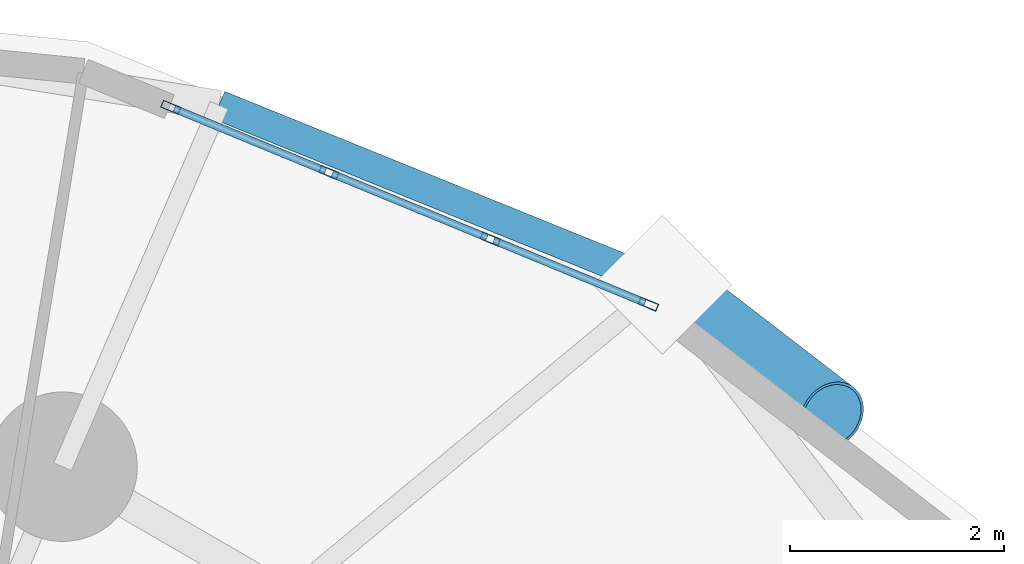
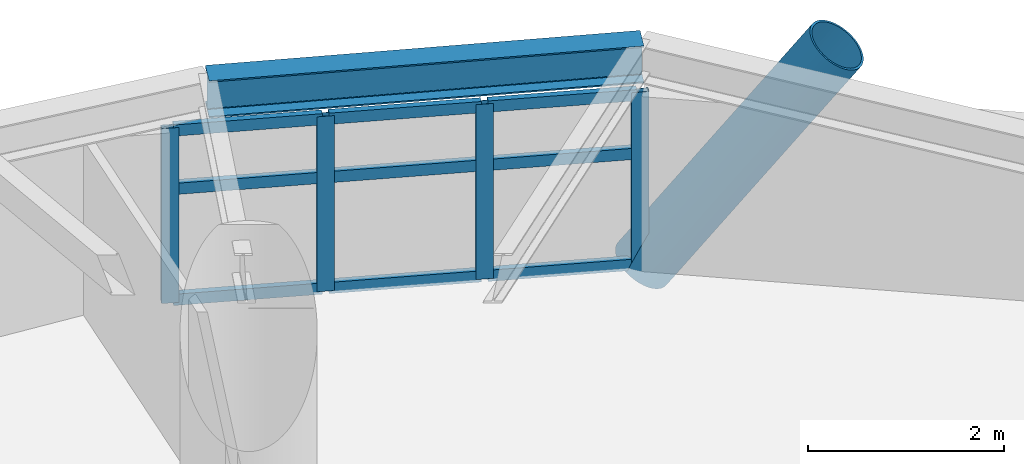
# One storey, part 7 of 18: 14 members, 1 beam, 1 element without a shape of its own.
"""IFC4 building model written with IfcOpenShell, lengths in metres."""

from ifc_helpers import new_model, si_unit, direction, frame, origin, origin_2d, place, context, subcontext, project, spatial, hollow_rectangle, hollow_circle, i_section, extrude, material, layer, layer_set, material_profile, profile_set, type_object, element, aggregate, save


model = new_model("IFC4")

# Units and contexts
model_context = context("Model", 3, precision=1e-05, world=origin(), true_north=direction((0.0, 1.0)))
body_context = subcontext(model_context, "Body", "Model", "MODEL_VIEW")
ifc_project = project(units=[si_unit("LENGTHUNIT", "METRE"), si_unit("AREAUNIT", "SQUARE_METRE"), si_unit("VOLUMEUNIT", "CUBIC_METRE"), si_unit("PLANEANGLEUNIT", "RADIAN"), si_unit("MASSUNIT", "GRAM", prefix="KILO")], contexts=[model_context])

# Site, building, storey
site_placement = place(None, origin())
site = spatial("IfcSite", under=ifc_project, at=site_placement, CompositionType="ELEMENT")
building_placement = place(site_placement, origin())
building = spatial("IfcBuilding", under=site, at=building_placement, Name="Cununo Teusaquillo Station Towers", CompositionType="ELEMENT")
storey_placement = place(building_placement, frame((0.0, 0.0, 102.159912109375)))
storey = spatial("IfcBuildingStorey", under=building, at=storey_placement, Name="L32", CompositionType="ELEMENT", Elevation=102.159912109375)

# Beam
ifc_material_1 = material(Name="Steel ASTM A572 Grade 50", Category="steel")
ifc_material_profile_1 = material_profile(ifc_material_1, i_section(OverallWidth=0.280029296875, OverallDepth=0.462890625, WebThickness=0.0107421875, FlangeThickness=0.017333984375, FilletRadius=0.013916015625, at=origin_2d()), Name="W18X76")
ifc_profile_set_1 = profile_set([ifc_material_profile_1], Name="Steel ASTM A572 Grade 50")
beam_type = type_object("IfcBeamType", Name="BM-RING-Z2", PredefinedType="SPANDREL", material=ifc_profile_set_1)
beam_placement = place(storey_placement, frame((63.9111328125, 39.341064453125, 2.4384765625), z_axis=(-0.927007712072, 0.375042266631, 0.0), x_axis=(-0.375042266631, -0.927007712072, 0.0)))
element("IfcBeam", 1, at=beam_placement, inside=storey, type_object=beam_type, Name="L32 Tower B Spandrel Ring Beam 02", PredefinedType="SPANDREL", context=body_context, shape_type="SweptSolid", body=[
    extrude(i_section(OverallWidth=0.280029296875, OverallDepth=0.462890625, WebThickness=0.0107421875, FlangeThickness=0.017333984375, FilletRadius=0.013916015625, at=origin_2d()), origin(), (0.0, 0.0, 1.0), 4.480712890625),
])

# Curtain wall, members
ifc_material_2 = material(Name="Ceramic-fritted dark low-E double glazing", Category="glass")
ifc_layer = layer(ifc_material_2, 0.179931640625)
ifc_layer_set = layer_set([ifc_layer], Name="Ceramic-fritted dark low-E double glazing")
curtain_wall_type = type_object("IfcCurtainWallType", Name="CW-SYS-04", PredefinedType="USERDEFINED", material=ifc_layer_set)
curtain_wall_placement = place(storey_placement, origin())
curtain_wall = element("IfcCurtainWall", 2, at=curtain_wall_placement, inside=storey, type_object=curtain_wall_type, Name="L32 Tower B Facade Curtain Wall C01", ObjectType="FRITTED GLAZING", PredefinedType="USERDEFINED")
ifc_material_3 = material(Name="Anodised dark bronze aluminium EN AW-6063-T6", Category="aluminium")
ifc_material_profile_2 = material_profile(ifc_material_3, hollow_rectangle(XDim=0.070068359375, YDim=0.179931640625, WallThickness=0.00390625, at=origin_2d()), Name="CW-MULL-70x180")
ifc_profile_set_2 = profile_set([ifc_material_profile_2], Name="Anodised dark bronze aluminium EN AW-6063-T6")
member_type_1 = type_object("IfcMemberType", Name="CWM-180", PredefinedType="MULLION", material=ifc_profile_set_2)
member_1_placement = place(storey_placement, frame((59.3056640625, 41.001953125, 0.0), z_axis=(0.0, 0.0, 1.0), x_axis=(0.381030560176, 0.924562443652, 0.0)))
member_1 = element("IfcMember", 3, at=member_1_placement, type_object=member_type_1, Name="CW-04 mullion 1", PredefinedType="MULLION", context=body_context, shape_type="SweptSolid", body=[
    extrude(hollow_rectangle(XDim=0.070068359375, YDim=0.179931640625, WallThickness=0.00390625, at=origin_2d()), origin(), (0.0, 0.0, 1.0), 2.17919921875),
])
member_2_placement = place(storey_placement, frame((60.785888671875, 40.39208984375, 0.0), z_axis=(0.0, 0.0, 1.0), x_axis=(0.381030560176, 0.924562443652, 0.0)))
member_2 = element("IfcMember", 4, at=member_2_placement, type_object=member_type_1, Name="CW-04 mullion 2", PredefinedType="MULLION", context=body_context, shape_type="SweptSolid", body=[
    extrude(hollow_rectangle(XDim=0.070068359375, YDim=0.179931640625, WallThickness=0.00390625, at=origin_2d()), origin(), (0.0, 0.0, 1.0), 2.17919921875),
])
member_3_placement = place(storey_placement, frame((62.298583984375, 39.7685546875, 0.0), z_axis=(0.0, 0.0, 1.0), x_axis=(0.381030560176, 0.924562443652, 0.0)))
member_3 = element("IfcMember", 5, at=member_3_placement, type_object=member_type_1, Name="CW-04 mullion 3", PredefinedType="MULLION", context=body_context, shape_type="SweptSolid", body=[
    extrude(hollow_rectangle(XDim=0.070068359375, YDim=0.179931640625, WallThickness=0.00390625, at=origin_2d()), origin(), (0.0, 0.0, 1.0), 2.17919921875),
])
member_4_placement = place(storey_placement, frame((63.77880859375, 39.158447265625, 0.0), z_axis=(0.0, 0.0, 1.0), x_axis=(0.381030560176, 0.924562443652, 0.0)))
member_4 = element("IfcMember", 6, at=member_4_placement, type_object=member_type_1, Name="CW-04 mullion 4", PredefinedType="MULLION", context=body_context, shape_type="SweptSolid", body=[
    extrude(hollow_rectangle(XDim=0.070068359375, YDim=0.179931640625, WallThickness=0.00390625, at=origin_2d()), origin(), (0.0, 0.0, 1.0), 2.17919921875),
])
ifc_material_4 = material(Name="Anodised dark bronze aluminium EN AW-6063-T6", Category="aluminium")
ifc_material_profile_3 = material_profile(ifc_material_4, hollow_rectangle(XDim=0.070068359375, YDim=0.139892578125, WallThickness=0.00390625, at=origin_2d()), Name="CW-TRAN-70x140")
ifc_profile_set_3 = profile_set([ifc_material_profile_3], Name="Anodised dark bronze aluminium EN AW-6063-T6")
member_type_2 = type_object("IfcMemberType", Name="CWT-140", PredefinedType="USERDEFINED", material=ifc_profile_set_3)
member_5_placement = place(storey_placement, frame((59.337890625, 40.98876953125, 0.03515625), z_axis=(0.924532726965, -0.381102659097, 0.0), x_axis=(0.381102659097, 0.924532726965, 0.0)))
member_5 = element("IfcMember", 7, at=member_5_placement, type_object=member_type_2, Name="CW-04 transom 1.1", ObjectType="TRANSOM", PredefinedType="USERDEFINED", context=body_context, shape_type="SweptSolid", body=[
    extrude(hollow_rectangle(XDim=0.070068359375, YDim=0.139892578125, WallThickness=0.00390625, at=origin_2d()), origin(), (0.0, 0.0, 1.0), 1.531005859375),
])
member_6_placement = place(storey_placement, frame((59.337890625, 40.98876953125, 1.416015625), z_axis=(0.924532726965, -0.381102659097, 0.0), x_axis=(0.381102659097, 0.924532726965, 0.0)))
member_6 = element("IfcMember", 8, at=member_6_placement, type_object=member_type_2, Name="CW-04 transom 1.2", ObjectType="TRANSOM", PredefinedType="USERDEFINED", context=body_context, shape_type="SweptSolid", body=[
    extrude(hollow_rectangle(XDim=0.070068359375, YDim=0.139892578125, WallThickness=0.00390625, at=origin_2d()), origin(), (0.0, 0.0, 1.0), 1.531005859375),
])
member_7_placement = place(storey_placement, frame((59.337890625, 40.98876953125, 2.14404296875), z_axis=(0.924532726965, -0.381102659097, 0.0), x_axis=(0.381102659097, 0.924532726965, 0.0)))
member_7 = element("IfcMember", 9, at=member_7_placement, type_object=member_type_2, Name="CW-04 transom 1.3", ObjectType="TRANSOM", PredefinedType="USERDEFINED", context=body_context, shape_type="SweptSolid", body=[
    extrude(hollow_rectangle(XDim=0.070068359375, YDim=0.139892578125, WallThickness=0.00390625, at=origin_2d()), origin(), (0.0, 0.0, 1.0), 1.531005859375),
])
member_8_placement = place(storey_placement, frame((60.818115234375, 40.378662109375, 0.03515625), z_axis=(0.924577983912, -0.380992849887, 0.0), x_axis=(0.380992849887, 0.924577983912, 0.0)))
member_8 = element("IfcMember", 10, at=member_8_placement, type_object=member_type_2, Name="CW-04 transom 2.1", ObjectType="TRANSOM", PredefinedType="USERDEFINED", context=body_context, shape_type="SweptSolid", body=[
    extrude(hollow_rectangle(XDim=0.070068359375, YDim=0.139892578125, WallThickness=0.00390625, at=origin_2d()), origin(), (0.0, 0.0, 1.0), 1.566162109375),
])
member_9_placement = place(storey_placement, frame((60.818115234375, 40.378662109375, 1.416015625), z_axis=(0.924577983912, -0.380992849887, 0.0), x_axis=(0.380992849887, 0.924577983912, 0.0)))
member_9 = element("IfcMember", 11, at=member_9_placement, type_object=member_type_2, Name="CW-04 transom 2.2", ObjectType="TRANSOM", PredefinedType="USERDEFINED", context=body_context, shape_type="SweptSolid", body=[
    extrude(hollow_rectangle(XDim=0.070068359375, YDim=0.139892578125, WallThickness=0.00390625, at=origin_2d()), origin(), (0.0, 0.0, 1.0), 1.566162109375),
])
member_10_placement = place(storey_placement, frame((60.818115234375, 40.378662109375, 2.14404296875), z_axis=(0.924577983912, -0.380992849887, 0.0), x_axis=(0.380992849887, 0.924577983912, 0.0)))
member_10 = element("IfcMember", 12, at=member_10_placement, type_object=member_type_2, Name="CW-04 transom 2.3", ObjectType="TRANSOM", PredefinedType="USERDEFINED", context=body_context, shape_type="SweptSolid", body=[
    extrude(hollow_rectangle(XDim=0.070068359375, YDim=0.139892578125, WallThickness=0.00390625, at=origin_2d()), origin(), (0.0, 0.0, 1.0), 1.566162109375),
])
member_11_placement = place(storey_placement, frame((62.330810546875, 39.75537109375, 0.03515625), z_axis=(0.924555881283, -0.381046483233, 0.0), x_axis=(0.381046483233, 0.924555881283, 0.0)))
member_11 = element("IfcMember", 13, at=member_11_placement, type_object=member_type_2, Name="CW-04 transom 3.1", ObjectType="TRANSOM", PredefinedType="USERDEFINED", context=body_context, shape_type="SweptSolid", body=[
    extrude(hollow_rectangle(XDim=0.070068359375, YDim=0.139892578125, WallThickness=0.00390625, at=origin_2d()), origin(), (0.0, 0.0, 1.0), 1.53125),
])
member_12_placement = place(storey_placement, frame((62.330810546875, 39.75537109375, 1.416015625), z_axis=(0.924555881283, -0.381046483233, 0.0), x_axis=(0.381046483233, 0.924555881283, 0.0)))
member_12 = element("IfcMember", 14, at=member_12_placement, type_object=member_type_2, Name="CW-04 transom 3.2", ObjectType="TRANSOM", PredefinedType="USERDEFINED", context=body_context, shape_type="SweptSolid", body=[
    extrude(hollow_rectangle(XDim=0.070068359375, YDim=0.139892578125, WallThickness=0.00390625, at=origin_2d()), origin(), (0.0, 0.0, 1.0), 1.53125),
])
member_13_placement = place(storey_placement, frame((62.330810546875, 39.75537109375, 2.14404296875), z_axis=(0.924555881283, -0.381046483233, 0.0), x_axis=(0.381046483233, 0.924555881283, 0.0)))
member_13 = element("IfcMember", 15, at=member_13_placement, type_object=member_type_2, Name="CW-04 transom 3.3", ObjectType="TRANSOM", PredefinedType="USERDEFINED", context=body_context, shape_type="SweptSolid", body=[
    extrude(hollow_rectangle(XDim=0.070068359375, YDim=0.139892578125, WallThickness=0.00390625, at=origin_2d()), origin(), (0.0, 0.0, 1.0), 1.53125),
])
aggregate(curtain_wall, [member_1, member_2, member_3, member_4, member_5, member_6, member_7, member_8, member_9, member_10, member_11, member_12, member_13])

# Member
ifc_material_5 = material(Name="Steel EN 10025-2 S355J2", Category="steel")
ifc_material_profile_4 = material_profile(ifc_material_5, hollow_circle(Radius=0.330078125, WallThickness=0.02490234375, at=origin_2d()), Name="CHS 660x25")
ifc_profile_set_4 = profile_set([ifc_material_profile_4], Name="Steel EN 10025-2 S355J2")
member_type_3 = type_object("IfcMemberType", Name="MBR-DIAG-Z2", PredefinedType="BRACE", material=ifc_profile_set_4)
member_14_placement = place(storey_placement, frame((63.9111328125, 39.341064453125, -0.139892578125), z_axis=(0.449247835466, -0.346074936166, 0.823655583898), x_axis=(0.610264182076, 0.792197972779, 0.0)))
element("IfcMember", 16, at=member_14_placement, inside=storey, type_object=member_type_3, Name="L32 Tower B Folded-Zigzag Diagrid Tube C00", PredefinedType="BRACE", context=body_context, shape_type="SweptSolid", body=[
    extrude(hollow_circle(Radius=0.330078125, WallThickness=0.02490234375, at=origin_2d()), origin(), (0.0, 0.0, 1.0), 3.532958984375),
])

save(model, "model.ifc")
